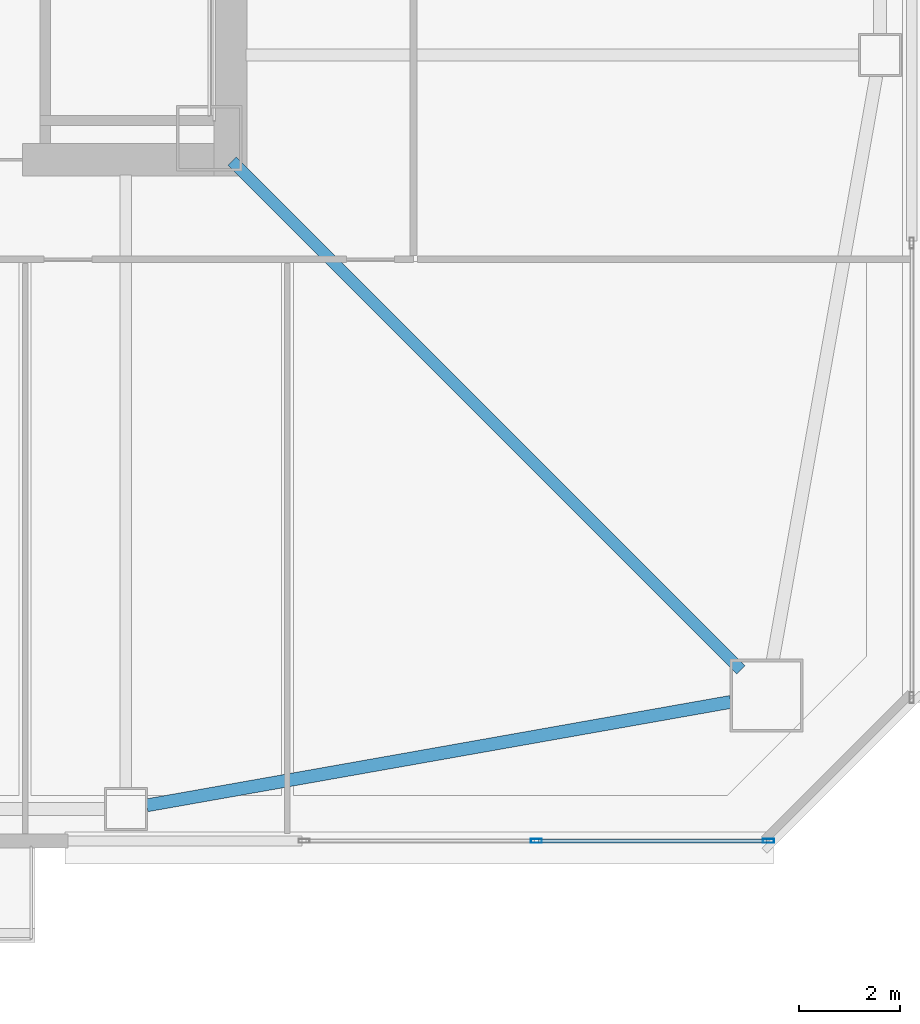
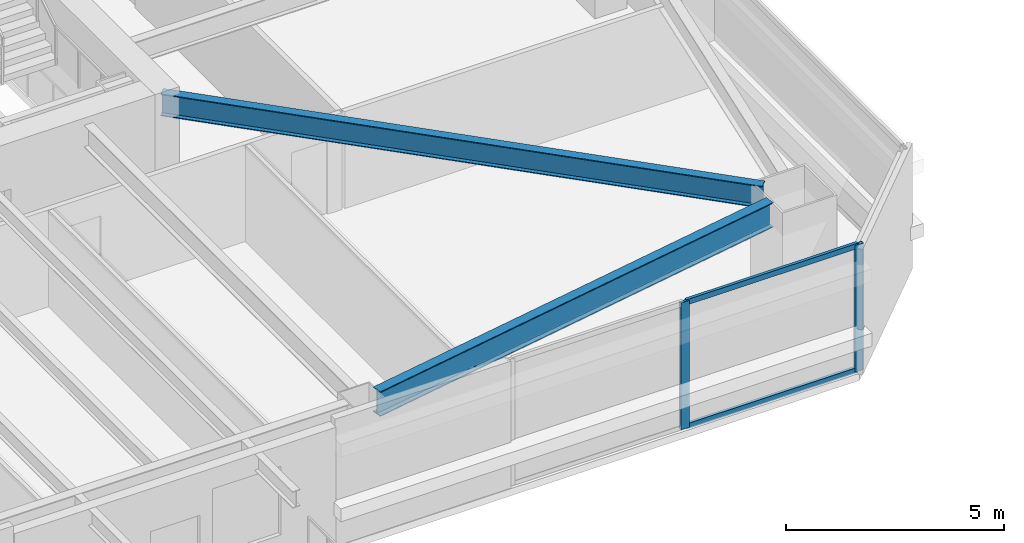
# One storey, part 8 of 44: 4 members, 2 beams, 1 element without a shape of its own.
"""IFC4 building model written with IfcOpenShell, lengths in metres."""

from ifc_helpers import new_model, si_unit, direction, frame, origin, origin_2d, place, context, subcontext, project, spatial, hollow_rectangle, i_section, extrude, material, material_profile, profile_set, type_object, element, aggregate, save


model = new_model("IFC4")

# Units and contexts
model_context = context("Model", 3, precision=1e-05, world=origin(), true_north=direction((0.0, 1.0)))
body_context = subcontext(model_context, "Body", "Model", "MODEL_VIEW")
ifc_project = project(units=[si_unit("LENGTHUNIT", "METRE"), si_unit("AREAUNIT", "SQUARE_METRE"), si_unit("VOLUMEUNIT", "CUBIC_METRE"), si_unit("PLANEANGLEUNIT", "RADIAN"), si_unit("MASSUNIT", "GRAM", prefix="KILO")], contexts=[model_context])

# Site, building, storey
site_placement = place(None, origin())
site = spatial("IfcSite", under=ifc_project, at=site_placement, CompositionType="ELEMENT")
building_placement = place(site_placement, origin())
building = spatial("IfcBuilding", under=site, at=building_placement, Name="Tashvorn Skyway Center", CompositionType="ELEMENT")
storey_placement = place(building_placement, frame((0.0, 0.0, 92.050048828125)))
storey = spatial("IfcBuildingStorey", under=building, at=storey_placement, Name="L24", CompositionType="ELEMENT", Elevation=92.050048828125)

# Beams
ifc_material_1 = material(Name="Steel ASTM A992 Grade 50", Category="steel")
ifc_material_profile_1 = material_profile(ifc_material_1, i_section(OverallWidth=0.22998046875, OverallDepth=0.616943359375, WebThickness=0.01318359375, FlangeThickness=0.022216796875, at=origin_2d()), Name="W24X94")
ifc_profile_set_1 = profile_set([ifc_material_profile_1], Name="Steel ASTM A992 Grade 50")
beam_type_1 = type_object("IfcBeamType", Name="BM-BEAM-W24X94", PredefinedType="BEAM", material=ifc_profile_set_1)
beam_1_placement = place(storey_placement, frame((59.5908203125, 14.4091796875, 3.04150390625), z_axis=(-0.707106781187, 0.707106781187, 0.0), x_axis=(-0.707106781187, -0.707106781187, 0.0)))
element("IfcBeam", 1, at=beam_1_placement, inside=storey, type_object=beam_type_1, Name="Tower 1 L24 Primary Floor Girder MC-SE", PredefinedType="BEAM", context=body_context, shape_type="SweptSolid", body=[
    extrude(i_section(OverallWidth=0.22998046875, OverallDepth=0.616943359375, WebThickness=0.01318359375, FlangeThickness=0.022216796875, at=origin_2d()), origin(), (0.0, 0.0, 1.0), 14.261962890625),
])
ifc_material_profile_2 = material_profile(ifc_material_1, i_section(OverallWidth=0.256103515625, OverallDepth=0.693115234375, WebThickness=0.014404296875, FlangeThickness=0.023681640625, at=origin_2d()), Name="W27X114")
ifc_profile_set_2 = profile_set([ifc_material_profile_2], Name="Steel ASTM A992 Grade 50")
beam_type_2 = type_object("IfcBeamType", Name="BM-SPANDREL-W27X114", PredefinedType="SPANDREL", material=ifc_profile_set_2)
beam_2_placement = place(storey_placement, frame((47.8134765625, 11.723388671875, 3.00341796875), z_axis=(0.98466816531, 0.174437966698, 0.0), x_axis=(-0.174437966698, 0.98466816531, 0.0)))
element("IfcBeam", 2, at=beam_2_placement, inside=storey, type_object=beam_type_2, Name="Tower 1 L24 Spandrel Beam 03", PredefinedType="SPANDREL", context=body_context, shape_type="SweptSolid", body=[
    extrude(i_section(OverallWidth=0.256103515625, OverallDepth=0.693115234375, WebThickness=0.014404296875, FlangeThickness=0.023681640625, at=origin_2d()), origin(), (0.0, 0.0, 1.0), 11.7578125),
])

# Curtain wall, members
ifc_material_2 = material(Name="Thermally broken bronze-anodized aluminium 6063-T6", Category="aluminium")
curtain_wall_type = type_object("IfcCurtainWallType", Name="CW-CW-Z2", PredefinedType="NOTDEFINED", material=ifc_material_2)
curtain_wall_placement = place(storey_placement, origin())
curtain_wall = element("IfcCurtainWall", 3, at=curtain_wall_placement, inside=storey, type_object=curtain_wall_type, Name="Tower 1 L24 South Curtain Wall L Glazing Group 1", PredefinedType="NOTDEFINED")
ifc_material_profile_3 = material_profile(ifc_material_2, hollow_rectangle(XDim=0.080078125, YDim=0.219970703125, WallThickness=0.0048828125, at=origin_2d()), Name="ALU-MULL-80x220")
ifc_profile_set_3 = profile_set([ifc_material_profile_3], Name="Thermally broken bronze-anodized aluminium 6063-T6")
member_type_1 = type_object("IfcMemberType", Name="CWM-CW-Z2", PredefinedType="MULLION", material=ifc_profile_set_3)
member_1_placement = place(storey_placement, frame((60.139892578125, 11.02001953125, 0.0), z_axis=(0.0, 0.0, 1.0), x_axis=(0.0, -1.0, 0.0)))
member_1 = element("IfcMember", 4, at=member_1_placement, type_object=member_type_1, Name="CW-Z2 mullion 1", PredefinedType="MULLION", context=body_context, shape_type="SweptSolid", body=[
    extrude(hollow_rectangle(XDim=0.080078125, YDim=0.219970703125, WallThickness=0.0048828125, at=origin_2d()), origin(), (0.0, 0.0, 1.0), 3.550048828125),
])
member_2_placement = place(storey_placement, frame((55.53662109375, 11.02001953125, 0.0), z_axis=(0.0, 0.0, 1.0), x_axis=(0.0, -1.0, 0.0)))
member_2 = element("IfcMember", 5, at=member_2_placement, type_object=member_type_1, Name="CW-Z2 mullion 2", PredefinedType="MULLION", context=body_context, shape_type="SweptSolid", body=[
    extrude(hollow_rectangle(XDim=0.080078125, YDim=0.219970703125, WallThickness=0.0048828125, at=origin_2d()), origin(), (0.0, 0.0, 1.0), 3.550048828125),
])
ifc_material_profile_4 = material_profile(ifc_material_2, hollow_rectangle(XDim=0.080078125, YDim=0.14990234375, WallThickness=0.00439453125, at=origin_2d()), Name="ALU-TRAN-80x150")
ifc_profile_set_4 = profile_set([ifc_material_profile_4], Name="Thermally broken bronze-anodized aluminium 6063-T6")
member_type_2 = type_object("IfcMemberType", Name="CWT-CW-Z2", PredefinedType="USERDEFINED", material=ifc_profile_set_4)
member_3_placement = place(storey_placement, frame((60.10009765625, 11.02001953125, 0.0400390625), z_axis=(-1.0, 0.0, 0.0), x_axis=(0.0, -1.0, 0.0)))
member_3 = element("IfcMember", 6, at=member_3_placement, type_object=member_type_2, Name="CW-Z2 transom 1.1", ObjectType="TRANSOM", PredefinedType="USERDEFINED", context=body_context, shape_type="SweptSolid", body=[
    extrude(hollow_rectangle(XDim=0.080078125, YDim=0.14990234375, WallThickness=0.00439453125, at=origin_2d()), origin(), (0.0, 0.0, 1.0), 4.5234375),
])
member_4_placement = place(storey_placement, frame((60.10009765625, 11.02001953125, 3.510009765625), z_axis=(-1.0, 0.0, 0.0), x_axis=(0.0, -1.0, 0.0)))
member_4 = element("IfcMember", 7, at=member_4_placement, type_object=member_type_2, Name="CW-Z2 transom 1.2", ObjectType="TRANSOM", PredefinedType="USERDEFINED", context=body_context, shape_type="SweptSolid", body=[
    extrude(hollow_rectangle(XDim=0.080078125, YDim=0.14990234375, WallThickness=0.00439453125, at=origin_2d()), origin(), (0.0, 0.0, 1.0), 4.5234375),
])
aggregate(curtain_wall, [member_1, member_2, member_3, member_4])

save(model, "model.ifc")
